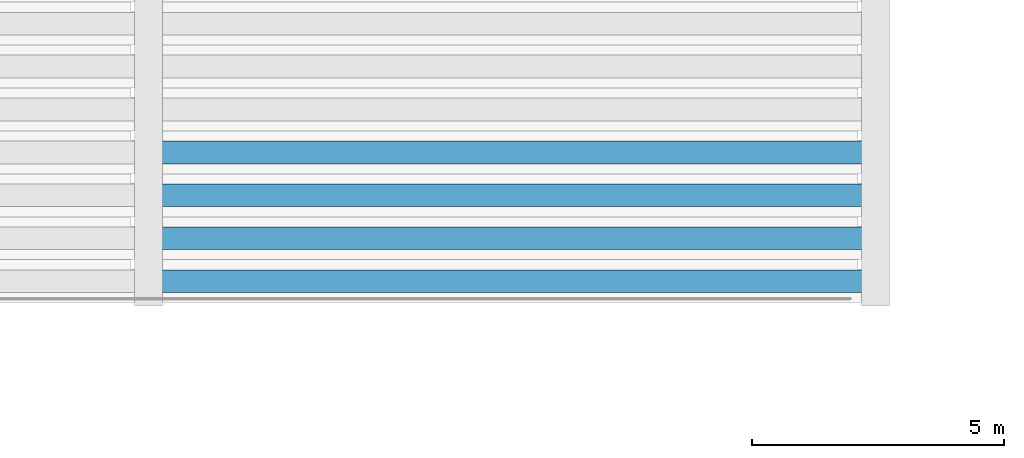
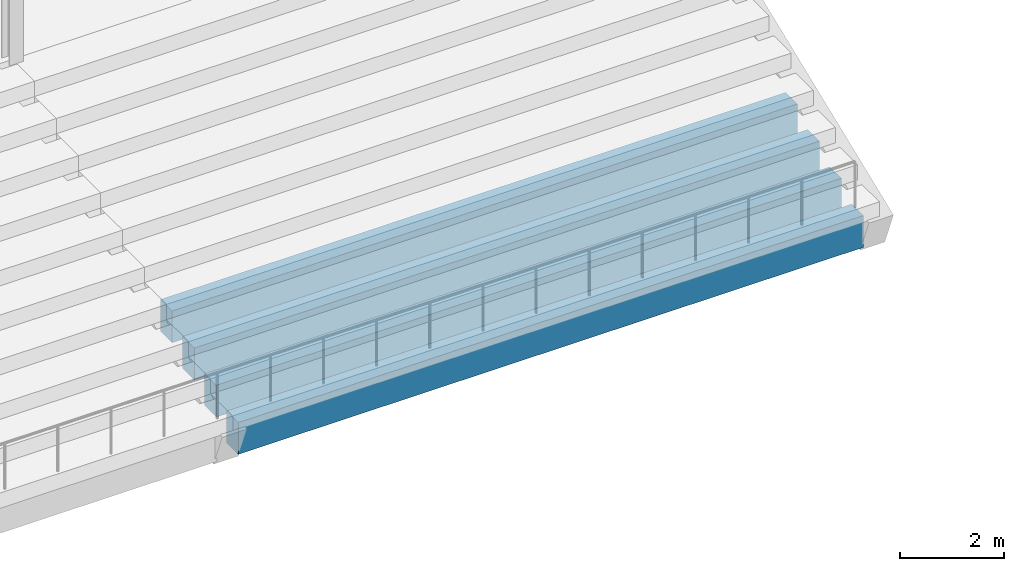
# One storey, part 68 of 161: 4 beams.
"""IFC4 building model written with IfcOpenShell, lengths in metres."""

from ifc_helpers import new_model, si_unit, direction, frame, origin, origin_2d, place, context, subcontext, project, spatial, rectangle, extrude, material, material_profile, profile_set, type_object, element, save


model = new_model("IFC4")

# Units and contexts
model_context = context("Model", 3, precision=1e-05, world=origin(), true_north=direction((0.0, 1.0)))
body_context = subcontext(model_context, "Body", "Model", "MODEL_VIEW")
ifc_project = project(units=[si_unit("LENGTHUNIT", "METRE"), si_unit("AREAUNIT", "SQUARE_METRE"), si_unit("VOLUMEUNIT", "CUBIC_METRE"), si_unit("PLANEANGLEUNIT", "RADIAN"), si_unit("MASSUNIT", "GRAM", prefix="KILO"), si_unit("THERMODYNAMICTEMPERATUREUNIT", "KELVIN")], contexts=[model_context])

# Site, building, storey
site_placement = place(None, origin())
site = spatial("IfcSite", under=ifc_project, at=site_placement, CompositionType="ELEMENT")
building_placement = place(site_placement, origin())
building = spatial("IfcBuilding", under=site, at=building_placement, Name="Nduvali Passage Aquatics Centre", CompositionType="ELEMENT")
storey_placement = place(building_placement, frame((0.0, 0.0, 4.800048828125)))
storey = spatial("IfcBuildingStorey", under=building, at=storey_placement, Name="L01", CompositionType="ELEMENT", Elevation=4.800048828125)

# Beams
ifc_material = material(Name="Concrete C40/50", Category="concrete")
ifc_material_profile = material_profile(ifc_material, rectangle(XDim=0.449951171875, YDim=0.75, at=origin_2d()), Name="RC 450x750")
ifc_profile_set = profile_set([ifc_material_profile], Name="Concrete C40/50")
beam_type = type_object("IfcBeamType", Name="STR-BM-RC4575", PredefinedType="BEAM", material=ifc_profile_set)
for number, where, z_axis, x_axis, name in (
    (1, (97.43994140625, 75.925048828125, -3.97509765625), (1.0, 0.0, 0.0), (0.0, 1.0, 0.0), "L01 North Stand Tier Bearer Row 01 B3-1573"),
    (2, (97.43994140625, 76.77490234375, -3.614990234375), (1.0, 0.0, 0.0), (0.0, 1.0, 0.0), "L01 North Stand Tier Bearer Row 02 B3-1578"),
    (3, (97.43994140625, 77.625, -3.255126953125), (1.0, 0.0, 0.0), (0.0, 1.0, 0.0), "L01 North Stand Tier Bearer Row 03 B3-1583"),
    (4, (97.43994140625, 78.47509765625, -2.89501953125), (1.0, 0.0, 0.0), (0.0, 1.0, 0.0), "L01 North Stand Tier Bearer Row 04 B3-1588"),
):
    element("IfcBeam", number, at=place(storey_placement, frame(where, z_axis=z_axis, x_axis=x_axis)), inside=storey, type_object=beam_type, Name=name, PredefinedType="BEAM", context=body_context, shape_type="SweptSolid", body=[
        extrude(rectangle(XDim=0.449951171875, YDim=0.75, at=origin_2d()), origin(), (0.0, 0.0, 1.0), 13.920166015625),
    ])

save(model, "model.ifc")
